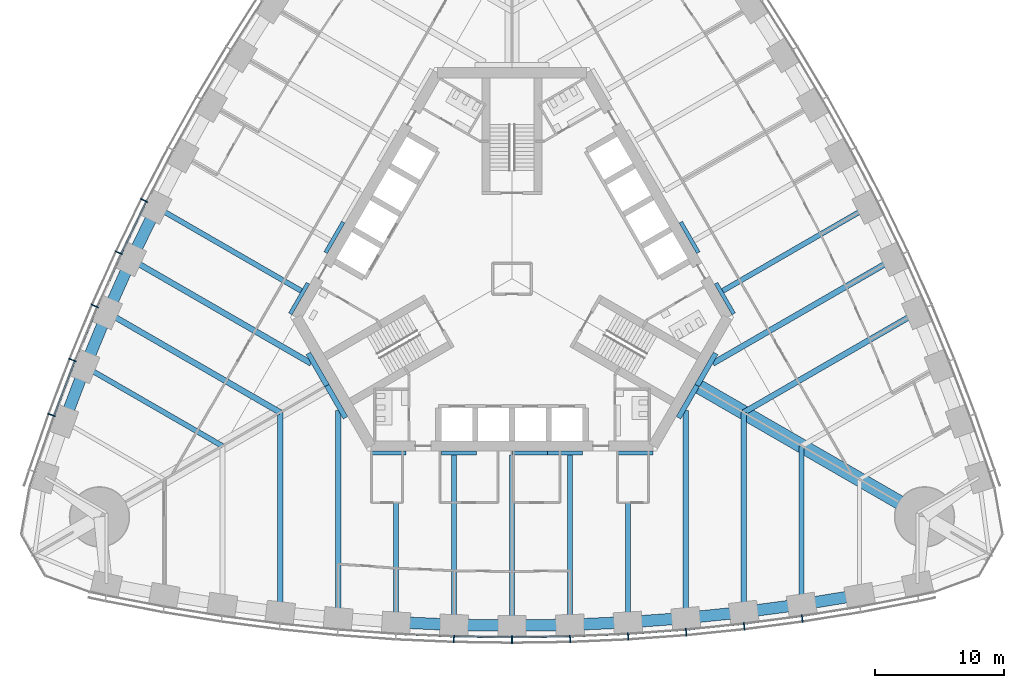
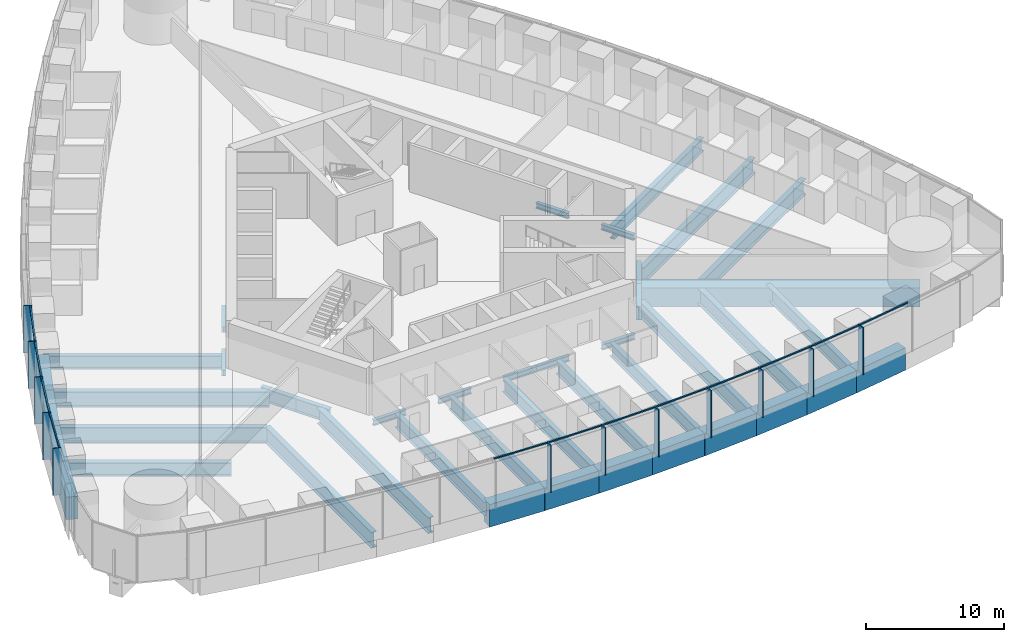
# One storey, part 3 of 18: 43 beams, 24 members, 2 elements without a shape of their own.
"""IFC4 building model written with IfcOpenShell, lengths in metres."""

from ifc_helpers import new_model, si_unit, direction, frame, origin, origin_2d, place, context, subcontext, project, spatial, rectangle, i_section, extrude, material, material_profile, profile_set, type_object, element, aggregate, save


model = new_model("IFC4")

# Units and contexts
model_context = context("Model", 3, precision=1e-05, world=origin(), true_north=direction((0.0, 1.0)))
body_context = subcontext(model_context, "Body", "Model", "MODEL_VIEW")
ifc_project = project(units=[si_unit("LENGTHUNIT", "METRE"), si_unit("AREAUNIT", "SQUARE_METRE"), si_unit("VOLUMEUNIT", "CUBIC_METRE"), si_unit("PLANEANGLEUNIT", "RADIAN"), si_unit("MASSUNIT", "GRAM", prefix="KILO")], contexts=[model_context])

# Site, building, storey
site_placement = place(None, origin())
site = spatial("IfcSite", under=ifc_project, at=site_placement, CompositionType="ELEMENT")
building_placement = place(site_placement, origin())
building = spatial("IfcBuilding", under=site, at=building_placement, Name="Trefoil Bronze Tower", CompositionType="ELEMENT")
storey_placement = place(building_placement, frame((0.0, 0.0, 75.300048828125)))
storey = spatial("IfcBuildingStorey", under=building, at=storey_placement, Name="L17", CompositionType="ELEMENT", Elevation=75.300048828125)

# Curtain wall, members
ifc_material_1 = material(Name="Tinted solar-control glass", Category="glass")
curtain_wall_type = type_object("IfcCurtainWallType", Name="Bronze office curtain wall", PredefinedType="USERDEFINED", material=ifc_material_1)
curtain_wall_1_placement = place(storey_placement, origin())
curtain_wall_1 = element("IfcCurtainWall", 1, at=curtain_wall_1_placement, inside=storey, type_object=curtain_wall_type, Name="CW-A L17 F1", ObjectType="CURTAIN WALL", PredefinedType="USERDEFINED")
ifc_material_2 = material(Name="Bronze-finish aluminium", Category="aluminium")
ifc_material_profile_1 = material_profile(ifc_material_2, rectangle(XDim=0.60009765625, YDim=0.080078125, at=origin_2d()), Name="CW-A mullion")
ifc_profile_set_1 = profile_set([ifc_material_profile_1], Name="Bronze-finish aluminium")
member_type_1 = type_object("IfcMemberType", Name="Bronze office curtain wall mullion", PredefinedType="MULLION", material=ifc_profile_set_1)
member_1_placement = place(storey_placement, frame((-4.5087890625, -27.9833984375, 0.0), z_axis=(0.0, 0.0, 1.0), x_axis=(0.029021671584, 0.999578782577, 0.0)))
member_1 = element("IfcMember", 2, at=member_1_placement, type_object=member_type_1, Name="CW-A L17 F1 mullion 8", PredefinedType="MULLION", context=body_context, shape_type="SweptSolid", body=[
    extrude(rectangle(XDim=0.60009765625, YDim=0.080078125, at=origin_2d()), origin(), (0.0, 0.0, 1.0), 4.179931640625),
])
member_2_placement = place(storey_placement, frame((0.0, -28.048828125, 0.0), z_axis=(0.0, 0.0, 1.0), x_axis=(0.0, 1.0, 0.0)))
member_2 = element("IfcMember", 3, at=member_2_placement, type_object=member_type_1, Name="CW-A L17 F1 mullion 9", PredefinedType="MULLION", context=body_context, shape_type="SweptSolid", body=[
    extrude(rectangle(XDim=0.60009765625, YDim=0.080078125, at=origin_2d()), origin(), (0.0, 0.0, 1.0), 4.179931640625),
])
member_3_placement = place(storey_placement, frame((4.5087890625, -27.9833984375, 0.0), z_axis=(0.0, 0.0, 1.0), x_axis=(-0.029021671584, 0.999578782577, 0.0)))
member_3 = element("IfcMember", 4, at=member_3_placement, type_object=member_type_1, Name="CW-A L17 F1 mullion 10", PredefinedType="MULLION", context=body_context, shape_type="SweptSolid", body=[
    extrude(rectangle(XDim=0.60009765625, YDim=0.080078125, at=origin_2d()), origin(), (0.0, 0.0, 1.0), 4.179931640625),
])
member_4_placement = place(storey_placement, frame((9.017333984375, -27.786865234375, 0.0), z_axis=(0.0, 0.0, 1.0), x_axis=(-0.058043374207, 0.998314062162, 0.0)))
member_4 = element("IfcMember", 5, at=member_4_placement, type_object=member_type_1, Name="CW-A L17 F1 mullion 11", PredefinedType="MULLION", context=body_context, shape_type="SweptSolid", body=[
    extrude(rectangle(XDim=0.60009765625, YDim=0.080078125, at=origin_2d()), origin(), (0.0, 0.0, 1.0), 4.179931640625),
])
member_5_placement = place(storey_placement, frame((13.526123046875, -27.458984375, 0.0), z_axis=(0.0, 0.0, 1.0), x_axis=(-0.087065139456, 0.996202620701, 0.0)))
member_5 = element("IfcMember", 6, at=member_5_placement, type_object=member_type_1, Name="CW-A L17 F1 mullion 12", PredefinedType="MULLION", context=body_context, shape_type="SweptSolid", body=[
    extrude(rectangle(XDim=0.60009765625, YDim=0.080078125, at=origin_2d()), origin(), (0.0, 0.0, 1.0), 4.179931640625),
])
member_6_placement = place(storey_placement, frame((18.034912109375, -26.99853515625, 0.0), z_axis=(0.0, 0.0, 1.0), x_axis=(-0.116086999973, 0.993239048989, 0.0)))
member_6 = element("IfcMember", 7, at=member_6_placement, type_object=member_type_1, Name="CW-A L17 F1 mullion 13", PredefinedType="MULLION", context=body_context, shape_type="SweptSolid", body=[
    extrude(rectangle(XDim=0.60009765625, YDim=0.080078125, at=origin_2d()), origin(), (0.0, 0.0, 1.0), 4.179931640625),
])
member_7_placement = place(storey_placement, frame((22.54345703125, -26.40478515625, 0.0), z_axis=(0.0, 0.0, 1.0), x_axis=(-0.145108990094, 0.989415676546, 0.0)))
member_7 = element("IfcMember", 8, at=member_7_placement, type_object=member_type_1, Name="CW-A L17 F1 mullion 14", PredefinedType="MULLION", context=body_context, shape_type="SweptSolid", body=[
    extrude(rectangle(XDim=0.60009765625, YDim=0.080078125, at=origin_2d()), origin(), (0.0, 0.0, 1.0), 4.179931640625),
])

curtain_wall_2_placement = place(storey_placement, origin())
curtain_wall_2 = element("IfcCurtainWall", 9, at=curtain_wall_2_placement, inside=storey, type_object=curtain_wall_type, Name="CW-A L17 F3", ObjectType="CURTAIN WALL", PredefinedType="USERDEFINED")
member_8_placement = place(storey_placement, frame((-28.57275390625, 6.084228515625, 0.0), z_axis=(0.0, 0.0, 1.0), x_axis=(0.893587025891, -0.448889994497, 0.0)))
member_8 = element("IfcMember", 10, at=member_8_placement, type_object=member_type_1, Name="CW-A L17 F3 mullion 11", PredefinedType="MULLION", context=body_context, shape_type="SweptSolid", body=[
    extrude(rectangle(XDim=0.60009765625, YDim=0.080078125, at=origin_2d()), origin(), (0.0, 0.0, 1.0), 4.179931640625),
])
member_9_placement = place(storey_placement, frame((-30.543212890625, 2.015380859375, 0.0), z_axis=(0.0, 0.0, 1.0), x_axis=(0.906269346572, -0.422700687798, 0.0)))
member_9 = element("IfcMember", 11, at=member_9_placement, type_object=member_type_1, Name="CW-A L17 F3 mullion 12", PredefinedType="MULLION", context=body_context, shape_type="SweptSolid", body=[
    extrude(rectangle(XDim=0.60009765625, YDim=0.080078125, at=origin_2d()), origin(), (0.0, 0.0, 1.0), 4.179931640625),
])
member_10_placement = place(storey_placement, frame((-32.39892578125, -2.119384765625, 0.0), z_axis=(0.0, 0.0, 1.0), x_axis=(0.918213748442, -0.396085233469, 0.0)))
member_10 = element("IfcMember", 12, at=member_10_placement, type_object=member_type_1, Name="CW-A L17 F3 mullion 13", PredefinedType="MULLION", context=body_context, shape_type="SweptSolid", body=[
    extrude(rectangle(XDim=0.60009765625, YDim=0.080078125, at=origin_2d()), origin(), (0.0, 0.0, 1.0), 4.179931640625),
])
member_11_placement = place(storey_placement, frame((-34.138916015625, -6.32080078125, 0.0), z_axis=(0.0, 0.0, 1.0), x_axis=(0.929413605838, -0.369039766534, 0.0)))
member_11 = element("IfcMember", 13, at=member_11_placement, type_object=member_type_1, Name="CW-A L17 F3 mullion 14", PredefinedType="MULLION", context=body_context, shape_type="SweptSolid", body=[
    extrude(rectangle(XDim=0.60009765625, YDim=0.080078125, at=origin_2d()), origin(), (0.0, 0.0, 1.0), 4.179931640625),
])
member_12_placement = place(storey_placement, frame((-35.761962890625, -10.590087890625, 0.0), z_axis=(0.0, 0.0, 1.0), x_axis=(0.939860248316, -0.341559238839, 0.0)))
member_12 = element("IfcMember", 14, at=member_12_placement, type_object=member_type_1, Name="CW-A L17 F3 mullion 15", PredefinedType="MULLION", context=body_context, shape_type="SweptSolid", body=[
    extrude(rectangle(XDim=0.60009765625, YDim=0.080078125, at=origin_2d()), origin(), (0.0, 0.0, 1.0), 4.179931640625),
])

# Member
ifc_material_3 = material(Name="Bronze-finish aluminium", Category="aluminium")
ifc_material_profile_2 = material_profile(ifc_material_3, rectangle(XDim=0.1201171875, YDim=0.10009765625, at=origin_2d()), Name="CW-A transom")
ifc_profile_set_2 = profile_set([ifc_material_profile_2], Name="Bronze-finish aluminium")
member_type_2 = type_object("IfcMemberType", Name="Bronze office curtain wall transom", PredefinedType="USERDEFINED", material=ifc_profile_set_2)
member_13_placement = place(storey_placement, frame((-8.96435546875, -27.589111328125, 4.1298828125), z_axis=(0.999054074786, -0.043485119914, 0.0), x_axis=(0.043485119914, 0.999054074786, 0.0)))
member_13 = element("IfcMember", 15, at=member_13_placement, type_object=member_type_2, Name="CW-A L17 F1 transom 7", ObjectType="TRANSOM", PredefinedType="USERDEFINED", context=body_context, shape_type="SweptSolid", body=[
    extrude(rectangle(XDim=0.1201171875, YDim=0.10009765625, at=origin_2d()), origin(), (0.0, 0.0, 1.0), 4.424072265625),
])

member_14_placement = place(storey_placement, frame((-4.46142578125, -27.783935546875, 4.1298828125), z_axis=(0.999894497273, -0.014525643658, 0.0), x_axis=(0.014525643658, 0.999894497273, 0.0)))
member_14 = element("IfcMember", 16, at=member_14_placement, type_object=member_type_2, Name="CW-A L17 F1 transom 8", ObjectType="TRANSOM", PredefinedType="USERDEFINED", context=body_context, shape_type="SweptSolid", body=[
    extrude(rectangle(XDim=0.1201171875, YDim=0.10009765625, at=origin_2d()), origin(), (0.0, 0.0, 1.0), 4.42041015625),
])

member_15_placement = place(storey_placement, frame((0.04150390625, -27.84814453125, 4.1298828125), z_axis=(0.999894497273, 0.014525643658, 0.0), x_axis=(-0.014525643658, 0.999894497273, 0.0)))
member_15 = element("IfcMember", 17, at=member_15_placement, type_object=member_type_2, Name="CW-A L17 F1 transom 9", ObjectType="TRANSOM", PredefinedType="USERDEFINED", context=body_context, shape_type="SweptSolid", body=[
    extrude(rectangle(XDim=0.1201171875, YDim=0.10009765625, at=origin_2d()), origin(), (0.0, 0.0, 1.0), 4.42041015625),
])

member_16_placement = place(storey_placement, frame((4.54443359375, -27.781494140625, 4.1298828125), z_axis=(0.999054074786, 0.043485119914, 0.0), x_axis=(-0.043485119914, 0.999054074786, 0.0)))
member_16 = element("IfcMember", 18, at=member_16_placement, type_object=member_type_2, Name="CW-A L17 F1 transom 10", ObjectType="TRANSOM", PredefinedType="USERDEFINED", context=body_context, shape_type="SweptSolid", body=[
    extrude(rectangle(XDim=0.1201171875, YDim=0.10009765625, at=origin_2d()), origin(), (0.0, 0.0, 1.0), 4.424072265625),
])

member_17_placement = place(storey_placement, frame((9.047119140625, -27.584228515625, 4.1298828125), z_axis=(0.997364729945, 0.07255064067, 0.0), x_axis=(-0.07255064067, 0.997364729945, 0.0)))
member_17 = element("IfcMember", 19, at=member_17_placement, type_object=member_type_2, Name="CW-A L17 F1 transom 11", ObjectType="TRANSOM", PredefinedType="USERDEFINED", context=body_context, shape_type="SweptSolid", body=[
    extrude(rectangle(XDim=0.1201171875, YDim=0.10009765625, at=origin_2d()), origin(), (0.0, 0.0, 1.0), 4.431884765625),
])

member_18_placement = place(storey_placement, frame((13.550048828125, -27.25537109375, 4.1298828125), z_axis=(0.994831650915, 0.101538102888, 0.0), x_axis=(-0.101538102888, 0.994831650915, 0.0)))
member_18 = element("IfcMember", 20, at=member_18_placement, type_object=member_type_2, Name="CW-A L17 F1 transom 12", ObjectType="TRANSOM", PredefinedType="USERDEFINED", context=body_context, shape_type="SweptSolid", body=[
    extrude(rectangle(XDim=0.1201171875, YDim=0.10009765625, at=origin_2d()), origin(), (0.0, 0.0, 1.0), 4.443359375),
])

member_19_placement = place(storey_placement, frame((18.052734375, -26.79443359375, 4.1298828125), z_axis=(0.991436581643, 0.13058906761, 0.0), x_axis=(-0.13058906761, 0.991436581643, 0.0)))
member_19 = element("IfcMember", 21, at=member_19_placement, type_object=member_type_2, Name="CW-A L17 F1 transom 13", ObjectType="TRANSOM", PredefinedType="USERDEFINED", context=body_context, shape_type="SweptSolid", body=[
    extrude(rectangle(XDim=0.1201171875, YDim=0.10009765625, at=origin_2d()), origin(), (0.0, 0.0, 1.0), 4.458740234375),
])

member_20_placement = place(storey_placement, frame((22.555419921875, -26.2001953125, 4.1298828125), z_axis=(0.987179401487, 0.159614627398, 0.0), x_axis=(-0.159614627398, 0.987179401487, 0.0)))
member_20 = element("IfcMember", 22, at=member_20_placement, type_object=member_type_2, Name="CW-A L17 F1 transom 14", ObjectType="TRANSOM", PredefinedType="USERDEFINED", context=body_context, shape_type="SweptSolid", body=[
    extrude(rectangle(XDim=0.1201171875, YDim=0.10009765625, at=origin_2d()), origin(), (0.0, 0.0, 1.0), 4.478515625),
])

aggregate(curtain_wall_1, [member_1, member_2, member_3, member_4, member_5, member_6, member_7, member_13, member_14, member_15, member_16, member_17, member_18, member_19, member_20])

member_21_placement = place(storey_placement, frame((-28.412109375, 5.95703125, 4.1298828125), z_axis=(-0.435851763293, -0.900018466719, 0.0), x_axis=(0.900018466719, -0.435851763293, 0.0)))
member_21 = element("IfcMember", 23, at=member_21_placement, type_object=member_type_2, Name="CW-A L17 F3 transom 11", ObjectType="TRANSOM", PredefinedType="USERDEFINED", context=body_context, shape_type="SweptSolid", body=[
    extrude(rectangle(XDim=0.1201171875, YDim=0.10009765625, at=origin_2d()), origin(), (0.0, 0.0, 1.0), 4.431884765625),
])

member_22_placement = place(storey_placement, frame((-30.37890625, 1.89306640625, 4.1298828125), z_axis=(-0.409459746452, -0.912328184392, 0.0), x_axis=(0.912328184392, -0.409459746452, 0.0)))
member_22 = element("IfcMember", 24, at=member_22_placement, type_object=member_type_2, Name="CW-A L17 F3 transom 12", ObjectType="TRANSOM", PredefinedType="USERDEFINED", context=body_context, shape_type="SweptSolid", body=[
    extrude(rectangle(XDim=0.1201171875, YDim=0.10009765625, at=origin_2d()), origin(), (0.0, 0.0, 1.0), 4.443359375),
])

member_23_placement = place(storey_placement, frame((-32.231201171875, -2.23681640625, 4.1298828125), z_axis=(-0.382616149417, -0.923907399151, 0.0), x_axis=(0.923907399151, -0.382616149417, 0.0)))
member_23 = element("IfcMember", 25, at=member_23_placement, type_object=member_type_2, Name="CW-A L17 F3 transom 13", ObjectType="TRANSOM", PredefinedType="USERDEFINED", context=body_context, shape_type="SweptSolid", body=[
    extrude(rectangle(XDim=0.1201171875, YDim=0.10009765625, at=origin_2d()), origin(), (0.0, 0.0, 1.0), 4.458984375),
])

member_24_placement = place(storey_placement, frame((-33.9677734375, -6.433349609375, 4.1298828125), z_axis=(-0.355367327392, -0.934726731522, 0.0), x_axis=(0.934726731522, -0.355367327392, 0.0)))
member_24 = element("IfcMember", 26, at=member_24_placement, type_object=member_type_2, Name="CW-A L17 F3 transom 14", ObjectType="TRANSOM", PredefinedType="USERDEFINED", context=body_context, shape_type="SweptSolid", body=[
    extrude(rectangle(XDim=0.1201171875, YDim=0.10009765625, at=origin_2d()), origin(), (0.0, 0.0, 1.0), 4.478515625),
])

aggregate(curtain_wall_2, [member_8, member_9, member_10, member_11, member_12, member_21, member_22, member_23, member_24])

# Beams
ifc_material_4 = material(Name="Steel C355", Category="steel")
ifc_material_profile_3 = material_profile(ifc_material_4, i_section(OverallWidth=0.300048828125, OverallDepth=0.5, WebThickness=0.014404296875, FlangeThickness=0.028076171875, FilletRadius=0.027099609375, at=origin_2d()), Name="HEB 500")
ifc_profile_set_3 = profile_set([ifc_material_profile_3], Name="Steel C355")
beam_type_1 = type_object("IfcBeamType", Name="Core seat beam HEB 500", PredefinedType="BEAM", material=ifc_profile_set_3)
for number, where, z_axis, x_axis, name in (
    (27, (-10.9697265625, -13.550048828125, -0.449951171875), (1.0, 0.0, 0.0), (0.0, 1.0, 0.0), "Core seat beam F1/-2 L17"),
    (28, (-5.48486328125, -13.550048828125, -0.449951171875), (1.0, 0.0, 0.0), (0.0, 1.0, 0.0), "Core seat beam F1/-1 L17"),
    (29, (0.0, -13.550048828125, -0.449951171875), (1.0, 0.0, 0.0), (0.0, 1.0, 0.0), "Core seat beam F1/+0 L17"),
    (30, (2.742431640625, -13.550048828125, -0.449951171875), (1.0, 0.0, 0.0), (0.0, 1.0, 0.0), "Core seat beam F1/+1 L17"),
    (31, (8.227294921875, -13.550048828125, -0.449951171875), (1.0, 0.0, 0.0), (0.0, 1.0, 0.0), "Core seat beam F1/+2 L17"),
    (32, (17.219482421875, -2.72509765625, -0.449951171875), (-0.500035825175, 0.866004719122, 0.0), (-0.866004719122, -0.500035825175, 0.0), "Core seat beam F2/-2 L17"),
    (33, (14.47705078125, 2.02490234375, -0.449951171875), (-0.499969057507, 0.866043267704, 0.0), (-0.866043267704, -0.499969057507, 0.0), "Core seat beam F2/-1 L17"),
    (34, (-13.10595703125, 4.39990234375, -0.449951171875), (-0.499969057507, -0.866043267704, 0.0), (0.866043267704, -0.499969057507, 0.0), "Core seat beam F3/+1 L17"),
    (35, (-15.84814453125, -0.35009765625, -0.449951171875), (-0.500035825175, -0.866004719122, 0.0), (0.866004719122, -0.500035825175, 0.0), "Core seat beam F3/+2 L17"),
):
    element("IfcBeam", number, at=place(storey_placement, frame(where, z_axis=z_axis, x_axis=x_axis)), inside=storey, type_object=beam_type_1, Name=name, PredefinedType="BEAM", context=body_context, shape_type="SweptSolid", body=[
        extrude(i_section(OverallWidth=0.300048828125, OverallDepth=0.5, WebThickness=0.014404296875, FlangeThickness=0.028076171875, FilletRadius=0.027099609375, at=origin_2d()), origin(), (0.0, 0.0, 1.0), 2.742431640625),
    ])
ifc_material_5 = material(Name="Steel C355", Category="steel")
ifc_material_profile_4 = material_profile(ifc_material_5, i_section(OverallWidth=0.39990234375, OverallDepth=1.199951171875, WebThickness=0.02001953125, FlangeThickness=0.0400390625, FilletRadius=0.010009765625, at=origin_2d()), Name="WPG 1200")
ifc_profile_set_4 = profile_set([ifc_material_profile_4], Name="Steel C355")
beam_type_2 = type_object("IfcBeamType", Name="Core seat beam WPG 1200", PredefinedType="BEAM", material=ifc_profile_set_4)
for number, where, z_axis, x_axis, name in (
    (36, (-14.3759765625, -8.300048828125, -0.800048828125), (0.499995765644, -0.866027848477, 0.0), (0.866027848477, 0.499995765644, 0.0), "Core seat beam F1/-3 L17"),
    (37, (12.9326171875, -10.800048828125, -0.800048828125), (0.499995765644, 0.866027848477, 0.0), (-0.866027848477, 0.499995765644, 0.0), "Core seat beam F1/+3 L17"),
    (38, (14.3759765625, -8.300048828125, -0.800048828125), (0.499995765644, 0.866027848477, 0.0), (-0.866027848477, 0.499995765644, 0.0), "Core seat beam F2/-3 L17"),
    (39, (-15.8193359375, -5.800048828125, -0.800048828125), (0.499995765644, -0.866027848477, 0.0), (0.866027848477, 0.499995765644, 0.0), "Core seat beam F3/+3 L17"),
):
    element("IfcBeam", number, at=place(storey_placement, frame(where, z_axis=z_axis, x_axis=x_axis)), inside=storey, type_object=beam_type_2, Name=name, PredefinedType="BEAM", context=body_context, shape_type="SweptSolid", body=[
        extrude(i_section(OverallWidth=0.39990234375, OverallDepth=1.199951171875, WebThickness=0.02001953125, FlangeThickness=0.0400390625, FilletRadius=0.010009765625, at=origin_2d()), origin(), (0.0, 0.0, 1.0), 2.88671875),
    ])
ifc_material_6 = material(Name="Concrete B80", Category="concrete")
ifc_material_profile_5 = material_profile(ifc_material_6, rectangle(XDim=1.10009765625, YDim=1.699951171875, at=origin_2d()), Name="RC 1100x1700")
ifc_profile_set_5 = profile_set([ifc_material_profile_5], Name="Concrete B80")
beam_type_3 = type_object("IfcBeamType", Name="Corner girder RC 1100x1700", PredefinedType="BEAM", material=ifc_profile_set_5)
beam_1_placement = place(storey_placement, frame((14.202880859375, -8.199951171875, -1.050048828125), z_axis=(0.866023947468, -0.500002522405, 0.0), x_axis=(0.500002522405, 0.866023947468, 0.0)))
element("IfcBeam", 40, at=beam_1_placement, inside=storey, type_object=beam_type_3, Name="Corner girder K1 L17", PredefinedType="BEAM", context=body_context, shape_type="SweptSolid", body=[
    extrude(rectangle(XDim=1.10009765625, YDim=1.699951171875, at=origin_2d()), origin(), (0.0, 0.0, 1.0), 20.60009765625),
])
ifc_material_7 = material(Name="Steel C355", Category="steel")
ifc_material_profile_6 = material_profile(ifc_material_7, i_section(OverallWidth=0.39990234375, OverallDepth=1.199951171875, WebThickness=0.02001953125, FlangeThickness=0.0400390625, FilletRadius=0.010009765625, at=origin_2d()), Name="WPG 1200")
ifc_profile_set_6 = profile_set([ifc_material_profile_6], Name="Steel C355")
beam_type_4 = type_object("IfcBeamType", Name="Floor beam WPG 1200", PredefinedType="BEAM", material=ifc_profile_set_6)
beam_2_placement = place(storey_placement, frame((-9.0, -26.68603515625, -0.800048828125), z_axis=(0.0, 1.0, 0.0), x_axis=(-1.0, 0.0, 0.0)))
element("IfcBeam", 41, at=beam_2_placement, inside=storey, type_object=beam_type_4, Name="Floor beam F1/-2 L17", PredefinedType="BEAM", context=body_context, shape_type="SweptSolid", body=[
    extrude(i_section(OverallWidth=0.39990234375, OverallDepth=1.199951171875, WebThickness=0.02001953125, FlangeThickness=0.0400390625, FilletRadius=0.010009765625, at=origin_2d()), origin(), (0.0, 0.0, 1.0), 12.986083984375),
])
beam_3_placement = place(storey_placement, frame((-4.5, -26.883056640625, -0.800048828125), z_axis=(0.0, 1.0, 0.0), x_axis=(-1.0, 0.0, 0.0)))
element("IfcBeam", 42, at=beam_3_placement, inside=storey, type_object=beam_type_4, Name="Floor beam F1/-1 L17", PredefinedType="BEAM", context=body_context, shape_type="SweptSolid", body=[
    extrude(i_section(OverallWidth=0.39990234375, OverallDepth=1.199951171875, WebThickness=0.02001953125, FlangeThickness=0.0400390625, FilletRadius=0.010009765625, at=origin_2d()), origin(), (0.0, 0.0, 1.0), 13.18310546875),
])
beam_4_placement = place(storey_placement, frame((0.0, -26.94873046875, -0.800048828125), z_axis=(0.0, 1.0, 0.0), x_axis=(-1.0, 0.0, 0.0)))
element("IfcBeam", 43, at=beam_4_placement, inside=storey, type_object=beam_type_4, Name="Floor beam F1/+0 L17", PredefinedType="BEAM", context=body_context, shape_type="SweptSolid", body=[
    extrude(i_section(OverallWidth=0.39990234375, OverallDepth=1.199951171875, WebThickness=0.02001953125, FlangeThickness=0.0400390625, FilletRadius=0.010009765625, at=origin_2d()), origin(), (0.0, 0.0, 1.0), 13.248779296875),
])
beam_5_placement = place(storey_placement, frame((4.5, -26.883056640625, -0.800048828125), z_axis=(0.0, 1.0, 0.0), x_axis=(-1.0, 0.0, 0.0)))
element("IfcBeam", 44, at=beam_5_placement, inside=storey, type_object=beam_type_4, Name="Floor beam F1/+1 L17", PredefinedType="BEAM", context=body_context, shape_type="SweptSolid", body=[
    extrude(i_section(OverallWidth=0.39990234375, OverallDepth=1.199951171875, WebThickness=0.02001953125, FlangeThickness=0.0400390625, FilletRadius=0.010009765625, at=origin_2d()), origin(), (0.0, 0.0, 1.0), 13.18310546875),
])
beam_6_placement = place(storey_placement, frame((9.0, -26.68603515625, -0.800048828125), z_axis=(0.0, 1.0, 0.0), x_axis=(-1.0, 0.0, 0.0)))
element("IfcBeam", 45, at=beam_6_placement, inside=storey, type_object=beam_type_4, Name="Floor beam F1/+2 L17", PredefinedType="BEAM", context=body_context, shape_type="SweptSolid", body=[
    extrude(i_section(OverallWidth=0.39990234375, OverallDepth=1.199951171875, WebThickness=0.02001953125, FlangeThickness=0.0400390625, FilletRadius=0.010009765625, at=origin_2d()), origin(), (0.0, 0.0, 1.0), 12.986083984375),
])
beam_7_placement = place(storey_placement, frame((22.5, -25.29931640625, -0.800048828125), z_axis=(0.0, 1.0, 0.0), x_axis=(-1.0, 0.0, 0.0)))
element("IfcBeam", 46, at=beam_7_placement, inside=storey, type_object=beam_type_4, Name="Floor beam F1/+5 L17", PredefinedType="BEAM", context=body_context, shape_type="SweptSolid", body=[
    extrude(i_section(OverallWidth=0.39990234375, OverallDepth=1.199951171875, WebThickness=0.02001953125, FlangeThickness=0.0400390625, FilletRadius=0.010009765625, at=origin_2d()), origin(), (0.0, 0.0, 1.0), 12.308837890625),
])
for number, where, z_axis, x_axis, name in (
    (47, (27.61083984375, 5.548828125, -0.800048828125), (-0.866022474361, -0.500005073876, 0.0), (0.500005073876, -0.866022474361, 0.0), "Floor beam F2/-2 L17"),
    (48, (-27.61083984375, 5.548828125, -0.800048828125), (0.866022474361, -0.500005073876, 0.0), (0.500005073876, 0.866022474361, 0.0), "Floor beam F3/+2 L17"),
):
    element("IfcBeam", number, at=place(storey_placement, frame(where, z_axis=z_axis, x_axis=x_axis)), inside=storey, type_object=beam_type_4, Name=name, PredefinedType="BEAM", context=body_context, shape_type="SweptSolid", body=[
        extrude(i_section(OverallWidth=0.39990234375, OverallDepth=1.199951171875, WebThickness=0.02001953125, FlangeThickness=0.0400390625, FilletRadius=0.010009765625, at=origin_2d()), origin(), (0.0, 0.0, 1.0), 12.986083984375),
    ])
beam_8_placement = place(storey_placement, frame((-33.159912109375, -6.8359375, -0.800048828125), z_axis=(0.866024070878, -0.500002308654, 0.0), x_axis=(0.500002308654, 0.866024070878, 0.0)))
element("IfcBeam", 49, at=beam_8_placement, inside=storey, type_object=beam_type_4, Name="Floor beam F3/+5 L17", PredefinedType="BEAM", context=body_context, shape_type="SweptSolid", body=[
    extrude(i_section(OverallWidth=0.39990234375, OverallDepth=1.199951171875, WebThickness=0.02001953125, FlangeThickness=0.0400390625, FilletRadius=0.010009765625, at=origin_2d()), origin(), (0.0, 0.0, 1.0), 12.30908203125),
])
ifc_material_8 = material(Name="Steel C355", Category="steel")
ifc_material_profile_7 = material_profile(ifc_material_8, i_section(OverallWidth=0.449951171875, OverallDepth=1.39990234375, WebThickness=0.02294921875, FlangeThickness=0.044921875, FilletRadius=0.011962890625, at=origin_2d()), Name="WPG 1400")
ifc_profile_set_7 = profile_set([ifc_material_profile_7], Name="Steel C355")
beam_type_5 = type_object("IfcBeamType", Name="Floor beam WPG 1400", PredefinedType="BEAM", material=ifc_profile_set_7)
beam_9_placement = place(storey_placement, frame((-18.0, -25.895263671875, -0.900146484375), z_axis=(0.0, 1.0, 0.0), x_axis=(-1.0, 0.0, 0.0)))
element("IfcBeam", 50, at=beam_9_placement, inside=storey, type_object=beam_type_5, Name="Floor beam F1/-4 L17", PredefinedType="BEAM", context=body_context, shape_type="SweptSolid", body=[
    extrude(i_section(OverallWidth=0.449951171875, OverallDepth=1.39990234375, WebThickness=0.02294921875, FlangeThickness=0.044921875, FilletRadius=0.011962890625, at=origin_2d()), origin(), (0.0, 0.0, 1.0), 15.5029296875),
])
for number, where, z_axis, x_axis, name in (
    (51, (-13.5, -26.35693359375, -0.900146484375), (0.0, 1.0, 0.0), (-1.0, 0.0, 0.0), "Floor beam F1/-3 L17"),
    (52, (13.5, -26.35693359375, -0.900146484375), (0.0, 1.0, 0.0), (-1.0, 0.0, 0.0), "Floor beam F1/+3 L17"),
):
    element("IfcBeam", number, at=place(storey_placement, frame(where, z_axis=z_axis, x_axis=x_axis)), inside=storey, type_object=beam_type_5, Name=name, PredefinedType="BEAM", context=body_context, shape_type="SweptSolid", body=[
        extrude(i_section(OverallWidth=0.449951171875, OverallDepth=1.39990234375, WebThickness=0.02294921875, FlangeThickness=0.044921875, FilletRadius=0.011962890625, at=origin_2d()), origin(), (0.0, 0.0, 1.0), 16.1396484375),
    ])
beam_10_placement = place(storey_placement, frame((18.0, -25.895263671875, -0.900146484375), z_axis=(0.0, 1.0, 0.0), x_axis=(-1.0, 0.0, 0.0)))
element("IfcBeam", 53, at=beam_10_placement, inside=storey, type_object=beam_type_5, Name="Floor beam F1/+4 L17", PredefinedType="BEAM", context=body_context, shape_type="SweptSolid", body=[
    extrude(i_section(OverallWidth=0.449951171875, OverallDepth=1.39990234375, WebThickness=0.02294921875, FlangeThickness=0.044921875, FilletRadius=0.011962890625, at=origin_2d()), origin(), (0.0, 0.0, 1.0), 15.5029296875),
])
beam_11_placement = place(storey_placement, frame((31.42578125, -2.640869140625, -0.900146484375), z_axis=(-0.866022989816, -0.500004181093, 0.0), x_axis=(0.500004181093, -0.866022989816, 0.0)))
element("IfcBeam", 54, at=beam_11_placement, inside=storey, type_object=beam_type_5, Name="Floor beam F2/-4 L17", PredefinedType="BEAM", context=body_context, shape_type="SweptSolid", body=[
    extrude(i_section(OverallWidth=0.449951171875, OverallDepth=1.39990234375, WebThickness=0.02294921875, FlangeThickness=0.044921875, FilletRadius=0.011962890625, at=origin_2d()), origin(), (0.0, 0.0, 1.0), 15.502685546875),
])
for number, where, z_axis, x_axis, name in (
    (55, (29.575927734375, 1.487060546875, -0.900146484375), (-0.866028401131, -0.499994808408, 0.0), (0.499994808408, -0.866028401131, 0.0), "Floor beam F2/-3 L17"),
    (56, (-29.575927734375, 1.487060546875, -0.900146484375), (0.866028401131, -0.499994808408, 0.0), (0.499994808408, 0.866028401131, 0.0), "Floor beam F3/+3 L17"),
):
    element("IfcBeam", number, at=place(storey_placement, frame(where, z_axis=z_axis, x_axis=x_axis)), inside=storey, type_object=beam_type_5, Name=name, PredefinedType="BEAM", context=body_context, shape_type="SweptSolid", body=[
        extrude(i_section(OverallWidth=0.449951171875, OverallDepth=1.39990234375, WebThickness=0.02294921875, FlangeThickness=0.044921875, FilletRadius=0.011962890625, at=origin_2d()), origin(), (0.0, 0.0, 1.0), 16.139892578125),
    ])
beam_12_placement = place(storey_placement, frame((-31.42578125, -2.640869140625, -0.900146484375), z_axis=(0.866022989816, -0.500004181093, 0.0), x_axis=(0.500004181093, 0.866022989816, 0.0)))
element("IfcBeam", 57, at=beam_12_placement, inside=storey, type_object=beam_type_5, Name="Floor beam F3/+4 L17", PredefinedType="BEAM", context=body_context, shape_type="SweptSolid", body=[
    extrude(i_section(OverallWidth=0.449951171875, OverallDepth=1.39990234375, WebThickness=0.02294921875, FlangeThickness=0.044921875, FilletRadius=0.011962890625, at=origin_2d()), origin(), (0.0, 0.0, 1.0), 15.502685546875),
])
ifc_material_9 = material(Name="Concrete B80", Category="concrete")
ifc_material_profile_8 = material_profile(ifc_material_9, rectangle(XDim=0.89990234375, YDim=2.0, at=origin_2d()), Name="RC 900x2000")
ifc_profile_set_8 = profile_set([ifc_material_profile_8], Name="Concrete B80")
beam_type_6 = type_object("IfcBeamType", Name="Spandrel beam RC 900x2000", PredefinedType="SPANDREL", material=ifc_profile_set_8)
beam_13_placement = place(storey_placement, frame((-9.0, -26.68603515625, -1.199951171875), z_axis=(0.999042919826, -0.043740648671, 0.0), x_axis=(0.043740648671, 0.999042919826, 0.0)))
element("IfcBeam", 58, at=beam_13_placement, inside=storey, type_object=beam_type_6, Name="Spandrel F1.7 L17", PredefinedType="SPANDREL", context=body_context, shape_type="SweptSolid", body=[
    extrude(rectangle(XDim=0.89990234375, YDim=2.0, at=origin_2d()), origin(), (0.0, 0.0, 1.0), 4.50439453125),
])
for number, where, z_axis, x_axis, name in (
    (59, (-4.5, -26.883056640625, -1.199951171875), (0.999893521905, -0.014592630067, 0.0), (0.014592630067, 0.999893521905, 0.0), "Spandrel F1.8 L17"),
    (60, (0.0, -26.94873046875, -1.199951171875), (0.999893521905, 0.014592630067, 0.0), (-0.014592630067, 0.999893521905, 0.0), "Spandrel F1.9 L17"),
):
    element("IfcBeam", number, at=place(storey_placement, frame(where, z_axis=z_axis, x_axis=x_axis)), inside=storey, type_object=beam_type_6, Name=name, PredefinedType="SPANDREL", context=body_context, shape_type="SweptSolid", body=[
        extrude(rectangle(XDim=0.89990234375, YDim=2.0, at=origin_2d()), origin(), (0.0, 0.0, 1.0), 4.50048828125),
    ])
beam_14_placement = place(storey_placement, frame((4.5, -26.883056640625, -1.199951171875), z_axis=(0.999042919826, 0.043740648671, 0.0), x_axis=(-0.043740648671, 0.999042919826, 0.0)))
element("IfcBeam", 61, at=beam_14_placement, inside=storey, type_object=beam_type_6, Name="Spandrel F1.10 L17", PredefinedType="SPANDREL", context=body_context, shape_type="SweptSolid", body=[
    extrude(rectangle(XDim=0.89990234375, YDim=2.0, at=origin_2d()), origin(), (0.0, 0.0, 1.0), 4.50439453125),
])
beam_15_placement = place(storey_placement, frame((9.0, -26.68603515625, -1.199951171875), z_axis=(0.997336412354, 0.072938882588, 0.0), x_axis=(-0.072938882588, 0.997336412354, 0.0)))
element("IfcBeam", 62, at=beam_15_placement, inside=storey, type_object=beam_type_6, Name="Spandrel F1.11 L17", PredefinedType="SPANDREL", context=body_context, shape_type="SweptSolid", body=[
    extrude(rectangle(XDim=0.89990234375, YDim=2.0, at=origin_2d()), origin(), (0.0, 0.0, 1.0), 4.511962890625),
])
beam_16_placement = place(storey_placement, frame((13.5, -26.35693359375, -1.199951171875), z_axis=(0.994778488621, 0.102057623805, 0.0), x_axis=(-0.102057623805, 0.994778488621, 0.0)))
element("IfcBeam", 63, at=beam_16_placement, inside=storey, type_object=beam_type_6, Name="Spandrel F1.12 L17", PredefinedType="SPANDREL", context=body_context, shape_type="SweptSolid", body=[
    extrude(rectangle(XDim=0.89990234375, YDim=2.0, at=origin_2d()), origin(), (0.0, 0.0, 1.0), 4.523681640625),
])
beam_17_placement = place(storey_placement, frame((18.0, -25.895263671875, -1.199951171875), z_axis=(0.991344474846, 0.131286450906, 0.0), x_axis=(-0.131286450906, 0.991344474846, 0.0)))
element("IfcBeam", 64, at=beam_17_placement, inside=storey, type_object=beam_type_6, Name="Spandrel F1.13 L17", PredefinedType="SPANDREL", context=body_context, shape_type="SweptSolid", body=[
    extrude(rectangle(XDim=0.89990234375, YDim=2.0, at=origin_2d()), origin(), (0.0, 0.0, 1.0), 4.539306640625),
])
beam_18_placement = place(storey_placement, frame((22.5, -25.29931640625, -1.199951171875), z_axis=(0.987045951254, 0.160437807615, 0.0), x_axis=(-0.160437807615, 0.987045951254, 0.0)))
element("IfcBeam", 65, at=beam_18_placement, inside=storey, type_object=beam_type_6, Name="Spandrel F1.14 L17", PredefinedType="SPANDREL", context=body_context, shape_type="SweptSolid", body=[
    extrude(rectangle(XDim=0.89990234375, YDim=2.0, at=origin_2d()), origin(), (0.0, 0.0, 1.0), 4.55908203125),
])
beam_19_placement = place(storey_placement, frame((-27.61083984375, 5.548828125, -1.199951171875), z_axis=(-0.435510013583, -0.900183885697, 0.0), x_axis=(0.900183885697, -0.435510013583, 0.0)))
element("IfcBeam", 66, at=beam_19_placement, inside=storey, type_object=beam_type_6, Name="Spandrel F3.11 L17", PredefinedType="SPANDREL", context=body_context, shape_type="SweptSolid", body=[
    extrude(rectangle(XDim=0.89990234375, YDim=2.0, at=origin_2d()), origin(), (0.0, 0.0, 1.0), 4.51220703125),
])
beam_20_placement = place(storey_placement, frame((-29.575927734375, 1.487060546875, -1.199951171875), z_axis=(-0.408945873044, -0.912558640812, 0.0), x_axis=(0.912558640812, -0.408945873044, 0.0)))
element("IfcBeam", 67, at=beam_20_placement, inside=storey, type_object=beam_type_6, Name="Spandrel F3.12 L17", PredefinedType="SPANDREL", context=body_context, shape_type="SweptSolid", body=[
    extrude(rectangle(XDim=0.89990234375, YDim=2.0, at=origin_2d()), origin(), (0.0, 0.0, 1.0), 4.5234375),
])
beam_21_placement = place(storey_placement, frame((-31.42578125, -2.640869140625, -1.199951171875), z_axis=(-0.382020825144, -0.924153715113, 0.0), x_axis=(0.924153715113, -0.382020825144, 0.0)))
element("IfcBeam", 68, at=beam_21_placement, inside=storey, type_object=beam_type_6, Name="Spandrel F3.13 L17", PredefinedType="SPANDREL", context=body_context, shape_type="SweptSolid", body=[
    extrude(rectangle(XDim=0.89990234375, YDim=2.0, at=origin_2d()), origin(), (0.0, 0.0, 1.0), 4.539306640625),
])
beam_22_placement = place(storey_placement, frame((-33.159912109375, -6.8359375, -1.199951171875), z_axis=(-0.354571899767, -0.935028752443, 0.0), x_axis=(0.935028752443, -0.354571899767, 0.0)))
element("IfcBeam", 69, at=beam_22_placement, inside=storey, type_object=beam_type_6, Name="Spandrel F3.14 L17", PredefinedType="SPANDREL", context=body_context, shape_type="SweptSolid", body=[
    extrude(rectangle(XDim=0.89990234375, YDim=2.0, at=origin_2d()), origin(), (0.0, 0.0, 1.0), 4.558837890625),
])

save(model, "model.ifc")
